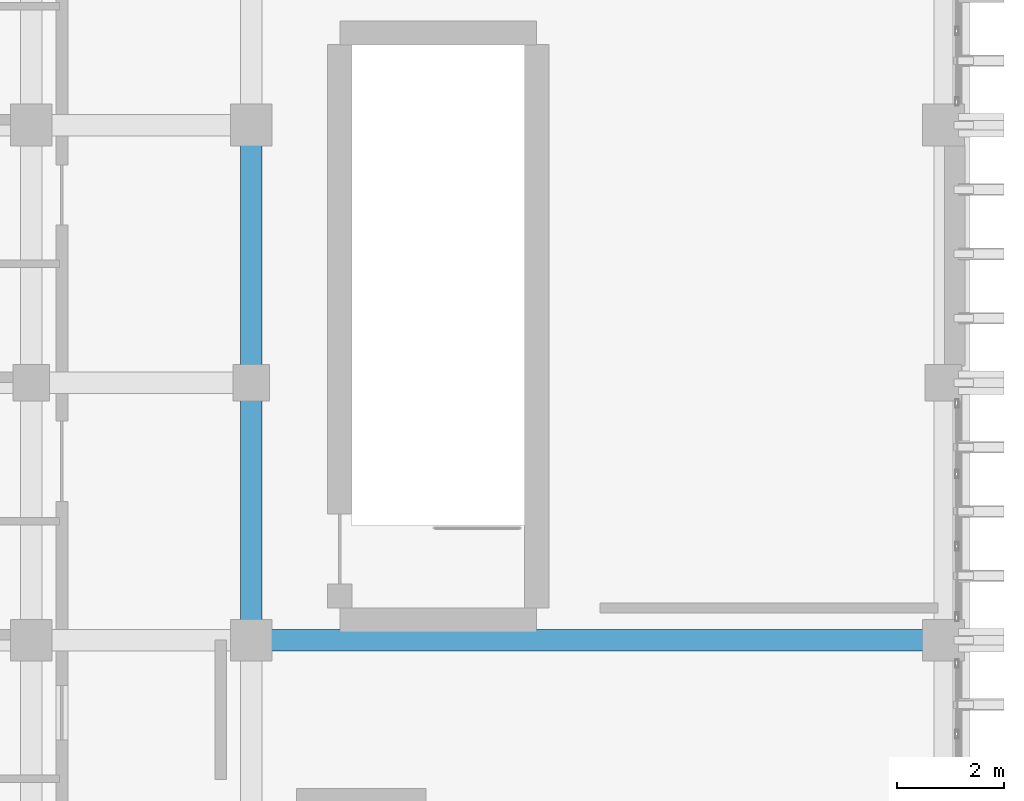
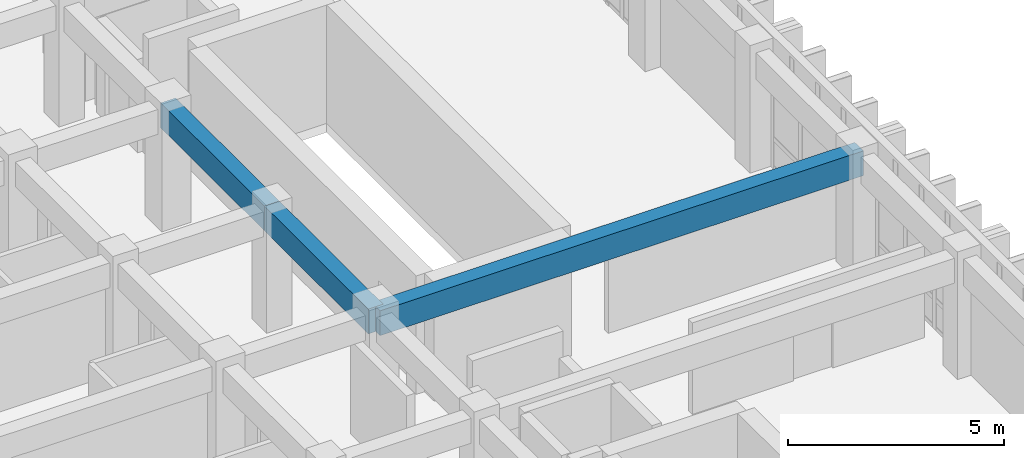
# One storey, part 15 of 68: 3 beams.
"""IFC4 building model written with IfcOpenShell, lengths in metres."""

from ifc_helpers import new_model, si_unit, direction, frame, origin, origin_2d, place, context, subcontext, project, spatial, rectangle, extrude, material, material_profile, profile_set, type_object, element, save


model = new_model("IFC4")

# Units and contexts
model_context = context("Model", 3, precision=1e-05, world=origin(), true_north=direction((0.0, 1.0)))
body_context = subcontext(model_context, "Body", "Model", "MODEL_VIEW")
ifc_project = project(units=[si_unit("LENGTHUNIT", "METRE"), si_unit("AREAUNIT", "SQUARE_METRE"), si_unit("VOLUMEUNIT", "CUBIC_METRE"), si_unit("PLANEANGLEUNIT", "RADIAN"), si_unit("MASSUNIT", "GRAM", prefix="KILO")], contexts=[model_context])

# Site, building, storey
site_placement = place(None, origin())
site = spatial("IfcSite", under=ifc_project, at=site_placement, CompositionType="ELEMENT")
building_placement = place(site_placement, origin())
building = spatial("IfcBuilding", under=site, at=building_placement, Name="Nakhvara Creek Congress Hotel", CompositionType="ELEMENT")
storey_placement = place(building_placement, frame((0.0, 0.0, 24.60009765625)))
storey = spatial("IfcBuildingStorey", under=building, at=storey_placement, Name="L05", CompositionType="ELEMENT", Elevation=24.60009765625)

# Beams
ifc_material = material(Name="Concrete C40/50", Category="concrete")
ifc_material_profile = material_profile(ifc_material, rectangle(XDim=0.39990234375, YDim=0.699951171875, at=origin_2d()), Name="RC-BM 400x700", Category="LoadBearing")
ifc_profile_set = profile_set([ifc_material_profile], Name="Concrete C40/50")
beam_type = type_object("IfcBeamType", Name="BM-RC-400X700", PredefinedType="BEAM", material=ifc_profile_set)
beam_placement = place(storey_placement, frame((166.449951171875, 48.0, 2.989990234375), z_axis=(1.0, 0.0, 0.0), x_axis=(0.0, 1.0, 0.0)))
element("IfcBeam", 1, at=beam_placement, inside=storey, type_object=beam_type, Name="Beam B05-L05-2122", PredefinedType="BEAM", context=body_context, shape_type="SweptSolid", body=[
    extrude(rectangle(XDim=0.39990234375, YDim=0.699951171875, at=origin_2d()), origin(), (0.0, 0.0, 1.0), 12.900146484375),
])
for number, where, z_axis, x_axis, name in (
    (2, (166.449951171875, 48.0, 2.989990234375), (0.0, 1.0, 0.0), (-1.0, 0.0, 0.0), "Beam B05-L05-2124"),
    (3, (166.449951171875, 52.800048828125, 2.989990234375), (0.0, 1.0, 0.0), (-1.0, 0.0, 0.0), "Beam B05-L05-2125"),
):
    element("IfcBeam", number, at=place(storey_placement, frame(where, z_axis=z_axis, x_axis=x_axis)), inside=storey, type_object=beam_type, Name=name, PredefinedType="BEAM", context=body_context, shape_type="SweptSolid", body=[
        extrude(rectangle(XDim=0.39990234375, YDim=0.699951171875, at=origin_2d()), origin(), (0.0, 0.0, 1.0), 4.800048828125),
    ])

save(model, "model.ifc")
